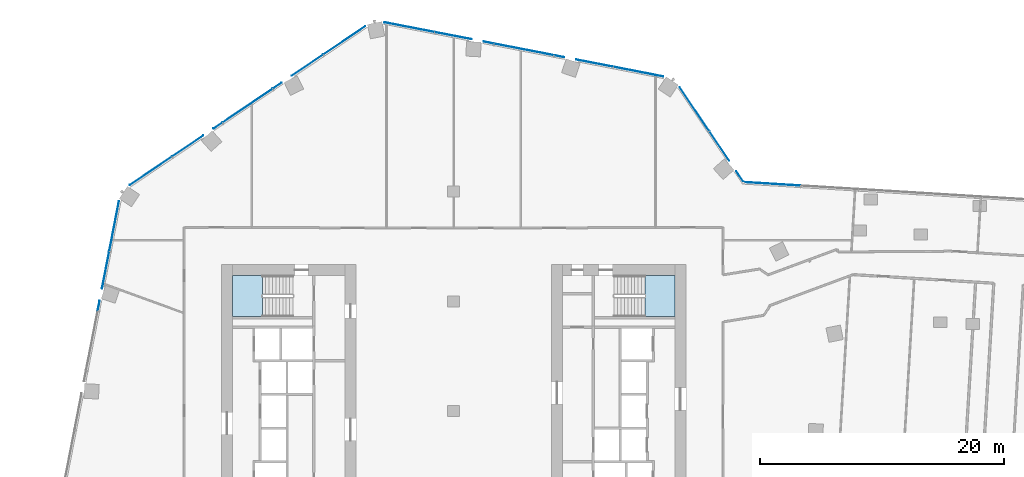
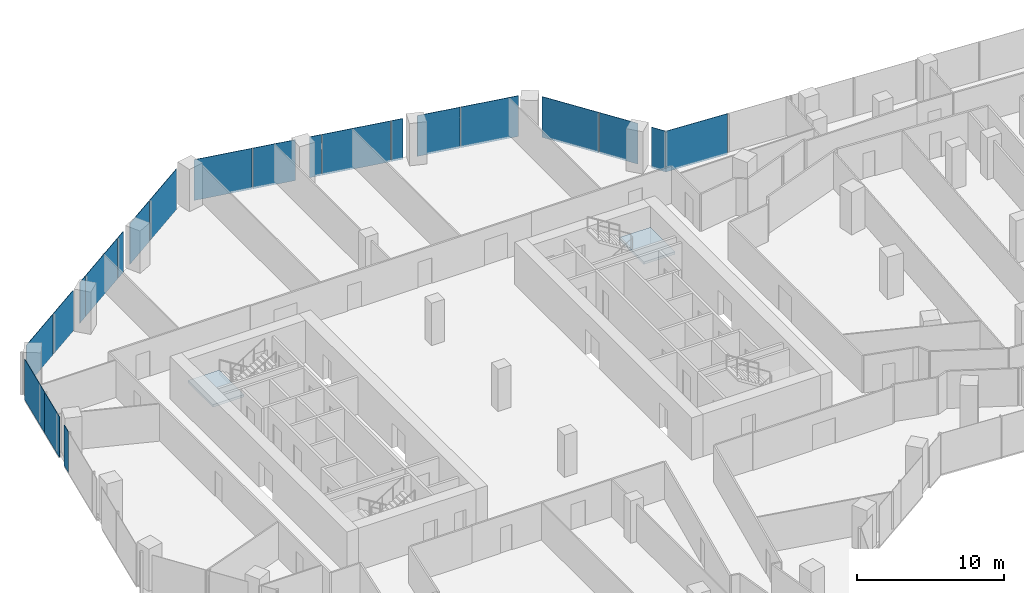
# One storey, part 20 of 32: 21 plates, 2 slabs, 7 elements without a shape of their own.
"""IFC4 building model written with IfcOpenShell, lengths in metres."""

from ifc_helpers import new_model, si_unit, direction, frame, origin, origin_2d, place, context, subcontext, project, spatial, polyline, rectangle, outline, extrude, material, layer, layer_set, type_object, element, aggregate, save


model = new_model("IFC4")

# Units and contexts
model_context = context("Model", 3, precision=1e-05, world=origin(), true_north=direction((0.0, 1.0)))
body_context = subcontext(model_context, "Body", "Model", "MODEL_VIEW")
ifc_project = project(units=[si_unit("LENGTHUNIT", "METRE"), si_unit("AREAUNIT", "SQUARE_METRE"), si_unit("VOLUMEUNIT", "CUBIC_METRE"), si_unit("PLANEANGLEUNIT", "RADIAN"), si_unit("MASSUNIT", "GRAM", prefix="KILO")], contexts=[model_context])

# Site, building, storey
site_placement = place(None, origin())
site = spatial("IfcSite", under=ifc_project, at=site_placement, CompositionType="ELEMENT")
building_placement = place(site_placement, origin())
building = spatial("IfcBuilding", under=site, at=building_placement, Name="Orlundy Tower", CompositionType="ELEMENT")
storey_placement = place(building_placement, frame((0.0, 0.0, 152.60009765625)))
storey = spatial("IfcBuildingStorey", under=building, at=storey_placement, Name="L39", CompositionType="ELEMENT", Elevation=152.60009765625)

# Curtain wall, plates
ifc_material_1 = material(Name="Aluminium bronze anodised", Category="aluminium")
curtain_wall_type = type_object("IfcCurtainWallType", Name="CW1 wall", PredefinedType="NOTDEFINED", material=ifc_material_1)
curtain_wall_1_placement = place(storey_placement, origin())
curtain_wall_1 = element("IfcCurtainWall", 1, at=curtain_wall_1_placement, inside=storey, type_object=curtain_wall_type, Name="CW1 run 014", PredefinedType="NOTDEFINED")
ifc_material_2 = material(Name="Tinted glass", Category="glass")
ifc_layer_1 = layer(ifc_material_2, 0.031982421875)
ifc_layer_set_1 = layer_set([ifc_layer_1], Name="CW1 glass panel 32")
plate_type = type_object("IfcPlateType", Name="CW1 glass panel 32", PredefinedType="CURTAIN_PANEL", material=ifc_layer_set_1)
plate_1_placement = place(storey_placement, frame((-29.05029296875, 8.635009765625, -0.280029296875), z_axis=(0.0, 0.0, 1.0), x_axis=(0.19080503976, 0.981627952333, 0.0)))
plate_1 = element("IfcPlate", 2, at=plate_1_placement, type_object=plate_type, Name="CW1 panel", PredefinedType="CURTAIN_PANEL", context=body_context, shape_type="SweptSolid", body=[
    extrude(rectangle(XDim=0.846923828125, YDim=0.031982421875, at=origin_2d()), origin(), (0.0, 0.0, 1.0), 3.3798828125),
])
plate_2_placement = place(storey_placement, frame((-28.484130859375, 11.5478515625, -0.280029296875), z_axis=(0.0, 0.0, 1.0), x_axis=(0.19080503976, 0.981627952333, 0.0)))
plate_2 = element("IfcPlate", 3, at=plate_2_placement, type_object=plate_type, Name="CW1 panel", PredefinedType="CURTAIN_PANEL", context=body_context, shape_type="SweptSolid", body=[
    extrude(rectangle(XDim=3.059814453125, YDim=0.031982421875, at=origin_2d()), origin(), (0.0, 0.0, 1.0), 3.3798828125),
])
plate_3_placement = place(storey_placement, frame((-27.786865234375, 15.134521484375, -0.280029296875), z_axis=(0.0, 0.0, 1.0), x_axis=(0.19080503976, 0.981627952333, 0.0)))
plate_3 = element("IfcPlate", 4, at=plate_3_placement, type_object=plate_type, Name="CW1 panel", PredefinedType="CURTAIN_PANEL", context=body_context, shape_type="SweptSolid", body=[
    extrude(rectangle(XDim=4.148193359375, YDim=0.031982421875, at=origin_2d()), origin(), (0.0, 0.0, 1.0), 3.3798828125),
])
aggregate(curtain_wall_1, [plate_1, plate_2, plate_3])

curtain_wall_2_placement = place(storey_placement, origin())
curtain_wall_2 = element("IfcCurtainWall", 5, at=curtain_wall_2_placement, inside=storey, type_object=curtain_wall_type, Name="CW1 run 015", PredefinedType="NOTDEFINED")
plate_4_placement = place(storey_placement, frame((-24.78857421875, 19.6640625, -0.280029296875), z_axis=(0.0, 0.0, 1.0), x_axis=(0.829029616512, 0.559204698608, 0.0)))
plate_4 = element("IfcPlate", 6, at=plate_4_placement, type_object=plate_type, Name="CW1 panel", PredefinedType="CURTAIN_PANEL", context=body_context, shape_type="SweptSolid", body=[
    extrude(rectangle(XDim=4.14697265625, YDim=0.031982421875, at=origin_2d()), origin(), (0.0, 0.0, 1.0), 3.3798828125),
])
plate_5_placement = place(storey_placement, frame((-21.762939453125, 21.705078125, -0.280029296875), z_axis=(0.0, 0.0, 1.0), x_axis=(0.829029616512, 0.559204698608, 0.0)))
plate_5 = element("IfcPlate", 7, at=plate_5_placement, type_object=plate_type, Name="CW1 panel", PredefinedType="CURTAIN_PANEL", context=body_context, shape_type="SweptSolid", body=[
    extrude(rectangle(XDim=3.052490234375, YDim=0.031982421875, at=origin_2d()), origin(), (0.0, 0.0, 1.0), 3.3798828125),
])
plate_6_placement = place(storey_placement, frame((-19.2998046875, 23.366455078125, -0.280029296875), z_axis=(0.0, 0.0, 1.0), x_axis=(0.829029616512, 0.559204698608, 0.0)))
plate_6 = element("IfcPlate", 8, at=plate_6_placement, type_object=plate_type, Name="CW1 panel", PredefinedType="CURTAIN_PANEL", context=body_context, shape_type="SweptSolid", body=[
    extrude(rectangle(XDim=0.8466796875, YDim=0.031982421875, at=origin_2d()), origin(), (0.0, 0.0, 1.0), 3.3798828125),
])
plate_7_placement = place(storey_placement, frame((-16.86767578125, 25.007080078125, -0.280029296875), z_axis=(0.0, 0.0, 1.0), x_axis=(0.829029616512, 0.559204698608, 0.0)))
plate_7 = element("IfcPlate", 9, at=plate_7_placement, type_object=plate_type, Name="CW1 panel", PredefinedType="CURTAIN_PANEL", context=body_context, shape_type="SweptSolid", body=[
    extrude(rectangle(XDim=4.920654296875, YDim=0.031982421875, at=origin_2d()), origin(), (0.0, 0.0, 1.0), 3.3798828125),
])
plate_8_placement = place(storey_placement, frame((-14.435302734375, 26.647705078125, -0.280029296875), z_axis=(0.0, 0.0, 1.0), x_axis=(0.829029616512, 0.559204698608, 0.0)))
plate_8 = element("IfcPlate", 10, at=plate_8_placement, type_object=plate_type, Name="CW1 panel", PredefinedType="CURTAIN_PANEL", context=body_context, shape_type="SweptSolid", body=[
    extrude(rectangle(XDim=0.84716796875, YDim=0.031982421875, at=origin_2d()), origin(), (0.0, 0.0, 1.0), 3.3798828125),
])
plate_9_placement = place(storey_placement, frame((-11.97314453125, 28.30859375, -0.280029296875), z_axis=(0.0, 0.0, 1.0), x_axis=(0.829029616512, 0.559204698608, 0.0)))
plate_9 = element("IfcPlate", 11, at=plate_9_placement, type_object=plate_type, Name="CW1 panel", PredefinedType="CURTAIN_PANEL", context=body_context, shape_type="SweptSolid", body=[
    extrude(rectangle(XDim=3.0537109375, YDim=0.031982421875, at=origin_2d()), origin(), (0.0, 0.0, 1.0), 3.3798828125),
])
plate_10_placement = place(storey_placement, frame((-8.9462890625, 30.35009765625, -0.280029296875), z_axis=(0.0, 0.0, 1.0), x_axis=(0.829029616512, 0.559204698608, 0.0)))
plate_10 = element("IfcPlate", 12, at=plate_10_placement, type_object=plate_type, Name="CW1 panel", PredefinedType="CURTAIN_PANEL", context=body_context, shape_type="SweptSolid", body=[
    extrude(rectangle(XDim=4.14794921875, YDim=0.031982421875, at=origin_2d()), origin(), (0.0, 0.0, 1.0), 3.3798828125),
])
aggregate(curtain_wall_2, [plate_4, plate_5, plate_6, plate_7, plate_8, plate_9, plate_10])

curtain_wall_3_placement = place(storey_placement, origin())
curtain_wall_3 = element("IfcCurtainWall", 13, at=curtain_wall_3_placement, inside=storey, type_object=curtain_wall_type, Name="CW1 run 016", PredefinedType="NOTDEFINED")
plate_11_placement = place(storey_placement, frame((-3.62353515625, 31.43310546875, -0.280029296875), z_axis=(0.0, 0.0, 1.0), x_axis=(0.981627952333, -0.19080503976, 0.0)))
plate_11 = element("IfcPlate", 14, at=plate_11_placement, type_object=plate_type, Name="CW1 panel", PredefinedType="CURTAIN_PANEL", context=body_context, shape_type="SweptSolid", body=[
    extrude(rectangle(XDim=4.147216796875, YDim=0.031982421875, at=origin_2d()), origin(), (0.0, 0.0, 1.0), 3.3798828125),
])
plate_12_placement = place(storey_placement, frame((-0.037109375, 30.73583984375, -0.280029296875), z_axis=(0.0, 0.0, 1.0), x_axis=(0.981627952333, -0.19080503976, 0.0)))
plate_12 = element("IfcPlate", 15, at=plate_12_placement, type_object=plate_type, Name="CW1 panel", PredefinedType="CURTAIN_PANEL", context=body_context, shape_type="SweptSolid", body=[
    extrude(rectangle(XDim=3.059814453125, YDim=0.031982421875, at=origin_2d()), origin(), (0.0, 0.0, 1.0), 3.3798828125),
])
plate_13_placement = place(storey_placement, frame((2.87548828125, 30.169677734375, -0.280029296875), z_axis=(0.0, 0.0, 1.0), x_axis=(0.981627952333, -0.19080503976, 0.0)))
plate_13 = element("IfcPlate", 16, at=plate_13_placement, type_object=plate_type, Name="CW1 panel", PredefinedType="CURTAIN_PANEL", context=body_context, shape_type="SweptSolid", body=[
    extrude(rectangle(XDim=0.8466796875, YDim=0.031982421875, at=origin_2d()), origin(), (0.0, 0.0, 1.0), 3.3798828125),
])
plate_14_placement = place(storey_placement, frame((5.75537109375, 29.610107421875, -0.280029296875), z_axis=(0.0, 0.0, 1.0), x_axis=(0.981627952333, -0.19080503976, 0.0)))
plate_14 = element("IfcPlate", 17, at=plate_14_placement, type_object=plate_type, Name="CW1 panel", PredefinedType="CURTAIN_PANEL", context=body_context, shape_type="SweptSolid", body=[
    extrude(rectangle(XDim=4.92041015625, YDim=0.031982421875, at=origin_2d()), origin(), (0.0, 0.0, 1.0), 3.3798828125),
])
plate_15_placement = place(storey_placement, frame((8.635009765625, 29.05029296875, -0.280029296875), z_axis=(0.0, 0.0, 1.0), x_axis=(0.981627952333, -0.19080503976, 0.0)))
plate_15 = element("IfcPlate", 18, at=plate_15_placement, type_object=plate_type, Name="CW1 panel", PredefinedType="CURTAIN_PANEL", context=body_context, shape_type="SweptSolid", body=[
    extrude(rectangle(XDim=0.846923828125, YDim=0.031982421875, at=origin_2d()), origin(), (0.0, 0.0, 1.0), 3.3798828125),
])
plate_16_placement = place(storey_placement, frame((11.5478515625, 28.484130859375, -0.280029296875), z_axis=(0.0, 0.0, 1.0), x_axis=(0.981627952333, -0.19080503976, 0.0)))
plate_16 = element("IfcPlate", 19, at=plate_16_placement, type_object=plate_type, Name="CW1 panel", PredefinedType="CURTAIN_PANEL", context=body_context, shape_type="SweptSolid", body=[
    extrude(rectangle(XDim=3.059814453125, YDim=0.031982421875, at=origin_2d()), origin(), (0.0, 0.0, 1.0), 3.3798828125),
])
plate_17_placement = place(storey_placement, frame((15.134521484375, 27.786865234375, -0.280029296875), z_axis=(0.0, 0.0, 1.0), x_axis=(0.981627952333, -0.19080503976, 0.0)))
plate_17 = element("IfcPlate", 20, at=plate_17_placement, type_object=plate_type, Name="CW1 panel", PredefinedType="CURTAIN_PANEL", context=body_context, shape_type="SweptSolid", body=[
    extrude(rectangle(XDim=4.148193359375, YDim=0.031982421875, at=origin_2d()), origin(), (0.0, 0.0, 1.0), 3.3798828125),
])
aggregate(curtain_wall_3, [plate_11, plate_12, plate_13, plate_14, plate_15, plate_16, plate_17])

curtain_wall_4_placement = place(storey_placement, origin())
curtain_wall_4 = element("IfcCurtainWall", 21, at=curtain_wall_4_placement, inside=storey, type_object=curtain_wall_type, Name="CW1 run 017", PredefinedType="NOTDEFINED")
plate_18_placement = place(storey_placement, frame((19.70556640625, 24.727294921875, -0.280029296875), z_axis=(0.0, 0.0, 1.0), x_axis=(0.559222860538, -0.829017365471, 0.0)))
plate_18 = element("IfcPlate", 22, at=plate_18_placement, type_object=plate_type, Name="CW1 panel", PredefinedType="CURTAIN_PANEL", context=body_context, shape_type="SweptSolid", body=[
    extrude(rectangle(XDim=4.295166015625, YDim=0.031982421875, at=origin_2d()), origin(), (0.0, 0.0, 1.0), 3.3798828125),
])
plate_19_placement = place(storey_placement, frame((21.746826171875, 21.700927734375, -0.280029296875), z_axis=(0.0, 0.0, 1.0), x_axis=(0.559222860538, -0.829017365471, 0.0)))
plate_19 = element("IfcPlate", 23, at=plate_19_placement, type_object=plate_type, Name="CW1 panel", PredefinedType="CURTAIN_PANEL", context=body_context, shape_type="SweptSolid", body=[
    extrude(rectangle(XDim=2.90576171875, YDim=0.031982421875, at=origin_2d()), origin(), (0.0, 0.0, 1.0), 3.3798828125),
])
plate_20_placement = place(storey_placement, frame((23.433837890625, 19.200439453125, -0.280029296875), z_axis=(0.0, 0.0, 1.0), x_axis=(0.559222860538, -0.829017365471, 0.0)))
plate_20 = element("IfcPlate", 24, at=plate_20_placement, type_object=plate_type, Name="CW1 panel", PredefinedType="CURTAIN_PANEL", context=body_context, shape_type="SweptSolid", body=[
    extrude(rectangle(XDim=1.087158203125, YDim=0.031982421875, at=origin_2d()), origin(), (0.0, 0.0, 1.0), 3.3798828125),
])
aggregate(curtain_wall_4, [plate_18, plate_19, plate_20])

# Curtain wall, plate
curtain_wall_5_placement = place(storey_placement, origin())
curtain_wall_5 = element("IfcCurtainWall", 25, at=curtain_wall_5_placement, inside=storey, type_object=curtain_wall_type, Name="CW1 run 018", PredefinedType="NOTDEFINED")
plate_21_placement = place(storey_placement, frame((26.05810546875, 18.60791015625, -0.280029296875), z_axis=(0.0, 0.0, 1.0), x_axis=(0.998134478615, -0.061053768107, 0.0)))
plate_21 = element("IfcPlate", 26, at=plate_21_placement, type_object=plate_type, Name="CW1 panel", PredefinedType="CURTAIN_PANEL", context=body_context, shape_type="SweptSolid", body=[
    extrude(rectangle(XDim=4.6494140625, YDim=0.031982421875, at=origin_2d()), origin(), (0.0, 0.0, 1.0), 3.3798828125),
])
aggregate(curtain_wall_5, [plate_21])

# Stair, slab
ifc_material_3 = material(Name="Concrete C50/60", Category="concrete")
stair_type = type_object("IfcStairType", Name="Exit Stair 20 risers", PredefinedType="HALF_TURN_STAIR", material=ifc_material_3)
stair_1_placement = place(storey_placement, origin())
stair_1 = element("IfcStair", 27, at=stair_1_placement, inside=storey, type_object=stair_type, Name="L39 Exit Stair ST-W1", PredefinedType="HALF_TURN_STAIR")
ifc_material_4 = material(Name="Concrete C50/60", Category="concrete")
ifc_layer_2 = layer(ifc_material_4, 0.199951171875)
ifc_layer_set_2 = layer_set([ifc_layer_2], Name="Exit Stair Landing")
slab_type = type_object("IfcSlabType", Name="Exit Stair Landing", PredefinedType="LANDING", material=ifc_layer_set_2)
slab_1_placement = place(storey_placement, frame((0.0, 0.0, 1.5498046875)))
slab_1 = element("IfcSlab", 28, at=slab_1_placement, type_object=slab_type, Name="ST-W1 landing 1", PredefinedType="LANDING", context=body_context, shape_type="SweptSolid", body=[
    extrude(outline(polyline([(-15.659912109375, 11.10009765625), (-18.10009765625, 11.10009765625), (-18.10009765625, 7.75), (-15.659912109375, 7.75), (-15.659912109375, 11.10009765625)])), origin(), (0.0, 0.0, 1.0), 0.2001953125),
])
aggregate(stair_1, [slab_1])

stair_2_placement = place(storey_placement, origin())
stair_2 = element("IfcStair", 29, at=stair_2_placement, inside=storey, type_object=stair_type, Name="L39 Exit Stair ST-E2", PredefinedType="HALF_TURN_STAIR")
slab_2_placement = place(storey_placement, frame((0.0, 0.0, 1.5498046875)))
slab_2 = element("IfcSlab", 30, at=slab_2_placement, type_object=slab_type, Name="ST-E2 landing 1", PredefinedType="LANDING", context=body_context, shape_type="SweptSolid", body=[
    extrude(outline(polyline([(15.659912109375, 7.75), (18.10009765625, 7.75), (18.10009765625, 11.10009765625), (15.659912109375, 11.10009765625), (15.659912109375, 7.75)])), origin(), (0.0, 0.0, 1.0), 0.2001953125),
])
aggregate(stair_2, [slab_2])

save(model, "model.ifc")
